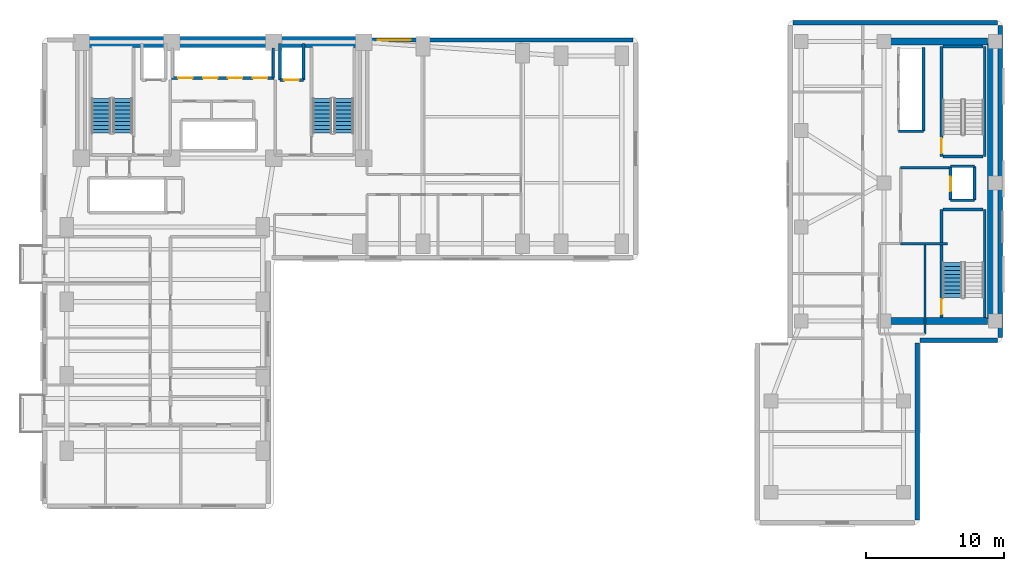
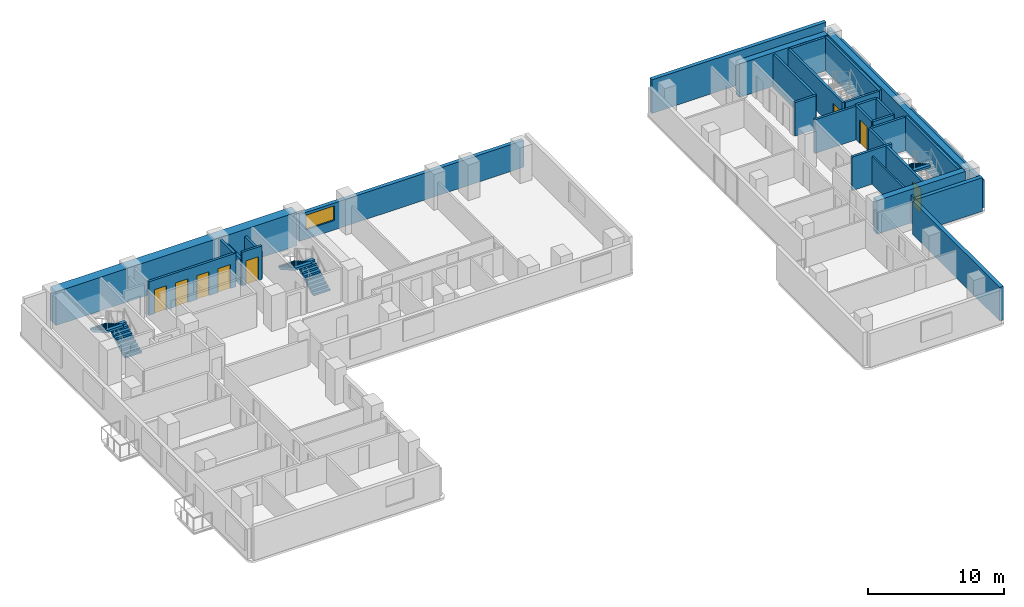
# One storey, part 13 of 18: 30 walls, 8 doors, 5 stair flights, 1 window, 9 openings, 3 elements without a shape of their own.
"""IFC4 building model written with IfcOpenShell, lengths in metres."""

from ifc_helpers import new_model, si_unit, direction, frame, frame_2d, origin, place, context, subcontext, project, spatial, polyline, rectangle, outline, extrude, material, layer, layer_set, type_object, element, fill, aggregate, save


model = new_model("IFC4")

# Units and contexts
model_context = context("Model", 3, precision=1e-05, world=origin(), true_north=direction((0.0, 1.0)))
body_context = subcontext(model_context, "Body", "Model", "MODEL_VIEW")
ifc_project = project(units=[si_unit("LENGTHUNIT", "METRE"), si_unit("AREAUNIT", "SQUARE_METRE"), si_unit("VOLUMEUNIT", "CUBIC_METRE"), si_unit("PLANEANGLEUNIT", "RADIAN"), si_unit("MASSUNIT", "GRAM", prefix="KILO")], contexts=[model_context])

# Site, building, storey
site_placement = place(None, origin())
site = spatial("IfcSite", under=ifc_project, at=site_placement, CompositionType="ELEMENT")
building_placement = place(site_placement, origin())
building = spatial("IfcBuilding", under=site, at=building_placement, Name="Kuzgunbayir Cultural Tower", CompositionType="ELEMENT")
storey_placement = place(building_placement, frame((0.0, 0.0, 53.199951171875)))
storey = spatial("IfcBuildingStorey", under=building, at=storey_placement, Name="L14", CompositionType="ELEMENT", Elevation=53.199951171875)

# Wall
ifc_material_1 = material(Name="Concrete C60/75", Category="concrete")
ifc_layer_1 = layer(ifc_material_1, 0.800048828125)
ifc_layer_set_1 = layer_set([ifc_layer_1], Name="Concrete C60/75")
wall_type_1 = type_object("IfcWallType", Name="WAL-CORE-800", PredefinedType="SHEAR", material=ifc_layer_set_1)
wall_1_placement = place(storey_placement, frame((6.449951171875, 42.199951171875, 0.0), z_axis=(0.0, 0.0, 1.0), x_axis=(1.0, 0.0, 0.0)))
element("IfcWall", 1, at=wall_1_placement, inside=storey, type_object=wall_type_1, Name="L14 T1 Core North Shear Wall", PredefinedType="SHEAR", context=body_context, shape_type="SweptSolid", body=[
    extrude(rectangle(XDim=20.449951171875, YDim=0.800048828125, at=frame_2d((10.22509765625, 0.0))), origin(), (0.0, 0.0, 1.0), 3.02001953125),
])

# Wall, opening, window
ifc_material_2 = material(Name="Travertine Buff Ashlar", Category="masonry")
ifc_layer_2 = layer(ifc_material_2, 0.320068359375)
ifc_layer_set_2 = layer_set([ifc_layer_2], Name="Travertine Buff Ashlar")
wall_type_2 = type_object("IfcWallType", Name="WAL-EXT-STONE-320", PredefinedType="STANDARD", material=ifc_layer_set_2)
wall_2_placement = place(storey_placement, frame((46.39990234375, 42.35009765625, 0.0), z_axis=(0.0, 0.0, 1.0), x_axis=(-1.0, 0.0, 0.0)))
wall_2 = element("IfcWall", 2, at=wall_2_placement, inside=storey, type_object=wall_type_2, Name="L14 North Wing B Limestone Wall", PredefinedType="STANDARD", context=body_context, shape_type="SweptSolid", body=[
    extrude(rectangle(XDim=19.0498046875, YDim=0.320068359375, at=frame_2d((9.52490234375, 0.0))), origin(), (0.0, 0.0, 1.0), 2.41015625),
])
opening_1_placement = place(wall_2_placement, frame((16.090087890625, 0.0, 0.85009765625)))
opening_1 = element("IfcOpeningElement", 3, at=opening_1_placement, cuts=wall_2, Name="Opening WO-24", PredefinedType="OPENING", context=body_context, shape_type="SweptSolid", body=[
    extrude(rectangle(XDim=2.39990234375, YDim=1.31005859375, at=frame_2d((1.199951171875, 0.655029296875))), frame((0.0, 0.169921875, 0.0), z_axis=(0.0, -1.0, 0.0), x_axis=(1.0, 0.0, 0.0)), (0.0, 0.0, 1.0), 0.340087890625),
])
ifc_material_3 = material(Name="Solar-Control Triple Glazing", Category="glass")
window_type = type_object("IfcWindowType", Name="WIN-OFFICE-24", PartitioningType="SINGLE_PANEL", PredefinedType="WINDOW", material=ifc_material_3)
window_placement = place(opening_1_placement, origin())
window = element("IfcWindow", 4, at=window_placement, inside=storey, type_object=window_type, Name="L14 CRN Facade Window 6", OverallHeight=1.31005859375, OverallWidth=2.39990234375, PartitioningType="SINGLE_PANEL", PredefinedType="WINDOW", context=body_context, shape_type="SweptSolid", body=[
    extrude(rectangle(XDim=2.39990234375, YDim=1.31005859375, at=frame_2d((1.199951171875, 0.655029296875))), frame((0.0, 0.030029296875, 0.0), z_axis=(0.0, -1.0, 0.0), x_axis=(1.0, 0.0, 0.0)), (0.0, 0.0, 1.0), 0.06005859375),
])
fill(opening_1, window)

# Walls
wall_3_placement = place(storey_placement, frame((73.0, 20.800048828125, 0.0), z_axis=(0.0, 0.0, 1.0), x_axis=(0.0, 1.0, 0.0)))
element("IfcWall", 5, at=wall_3_placement, inside=storey, type_object=wall_type_2, Name="L14 Companion East Limestone Wall", PredefinedType="STANDARD", context=body_context, shape_type="SweptSolid", body=[
    extrude(rectangle(XDim=22.599853515625, YDim=0.320068359375, at=frame_2d((11.2998046875, 0.0))), origin(), (0.0, 0.0, 1.0), 2.5),
])
wall_4_placement = place(storey_placement, frame((72.800048828125, 43.60009765625, 0.0), z_axis=(0.0, 0.0, 1.0), x_axis=(-1.0, 0.0, 0.0)))
element("IfcWall", 6, at=wall_4_placement, inside=storey, type_object=wall_type_2, Name="L14 Companion North Limestone Wall", PredefinedType="STANDARD", context=body_context, shape_type="SweptSolid", body=[
    extrude(rectangle(XDim=14.800048828125, YDim=0.320068359375, at=frame_2d((7.39990234375, 0.0))), origin(), (0.0, 0.0, 1.0), 3.02001953125),
])
wall_5_placement = place(storey_placement, frame((67.0, 7.60009765625, 0.0), z_axis=(0.0, 0.0, 1.0), x_axis=(0.0, 1.0, 0.0)))
element("IfcWall", 7, at=wall_5_placement, inside=storey, type_object=wall_type_2, Name="L14 Companion Wing B East Wall", PredefinedType="STANDARD", context=body_context, shape_type="SweptSolid", body=[
    extrude(rectangle(XDim=12.7998046875, YDim=0.320068359375, at=frame_2d((6.39990234375, 0.0))), origin(), (0.0, 0.0, 1.0), 3.02001953125),
])
wall_6_placement = place(storey_placement, frame((67.199951171875, 20.60009765625, 0.0), z_axis=(0.0, 0.0, 1.0), x_axis=(1.0, 0.0, 0.0)))
element("IfcWall", 8, at=wall_6_placement, inside=storey, type_object=wall_type_2, Name="L14 Companion South-East Link", PredefinedType="STANDARD", context=body_context, shape_type="SweptSolid", body=[
    extrude(rectangle(XDim=5.60009765625, YDim=0.320068359375, at=frame_2d((2.800048828125, 0.0))), origin(), (0.0, 0.0, 1.0), 3.02001953125),
])
ifc_material_4 = material(Name="Acoustic Double-Stud Drywall", Category="gypsum")
ifc_layer_3 = layer(ifc_material_4, 0.14990234375)
ifc_layer_set_3 = layer_set([ifc_layer_3], Name="Acoustic Double-Stud Drywall")
wall_type_3 = type_object("IfcWallType", Name="WAL-PART-ACOUSTIC-150", PredefinedType="PARTITIONING", material=ifc_layer_set_3)
wall_7_placement = place(storey_placement, frame((67.550048828125, 21.050048828125, 0.0), z_axis=(0.0, 0.0, 1.0), x_axis=(0.0, 1.0, 0.0)))
element("IfcWall", 9, at=wall_7_placement, inside=storey, type_object=wall_type_3, Name="L14 Companion Archive East Wall", PredefinedType="PARTITIONING", context=body_context, shape_type="SweptSolid", body=[
    extrude(rectangle(XDim=6.469970703125, YDim=0.14990234375, at=frame_2d((3.23486328125, 0.0))), origin(), (0.0, 0.0, 1.0), 2.5),
])
ifc_material_5 = material(Name="Aerated Concrete Blockwork", Category="masonry")
ifc_layer_4 = layer(ifc_material_5, 0.199951171875)
ifc_layer_set_4 = layer_set([ifc_layer_4], Name="Aerated Concrete Blockwork")
wall_type_4 = type_object("IfcWallType", Name="WAL-PART-FIRE-200", PredefinedType="PARTITIONING", material=ifc_layer_set_4)
wall_8_placement = place(storey_placement, frame((65.800048828125, 33.10009765625, 0.0), z_axis=(0.0, 0.0, 1.0), x_axis=(1.0, 0.0, 0.0)))
element("IfcWall", 10, at=wall_8_placement, inside=storey, type_object=wall_type_4, Name="L14 FFL-3 Lobby North Fire Wall", PredefinedType="PARTITIONING", context=body_context, shape_type="SweptSolid", body=[
    extrude(rectangle(XDim=3.599853515625, YDim=0.199951171875, at=frame_2d((1.7998046875, 0.0))), origin(), (0.0, 0.0, 1.0), 3.02001953125),
])
wall_9_placement = place(storey_placement, frame((65.800048828125, 27.60009765625, 0.0), z_axis=(0.0, 0.0, 1.0), x_axis=(1.0, 0.0, 0.0)))
element("IfcWall", 11, at=wall_9_placement, inside=storey, type_object=wall_type_4, Name="L14 FFL-3 Lobby South Fire Wall", PredefinedType="PARTITIONING", context=body_context, shape_type="SweptSolid", body=[
    extrude(rectangle(XDim=3.39990234375, YDim=0.199951171875, at=frame_2d((1.699951171875, 0.0))), origin(), (0.0, 0.0, 1.0), 3.02001953125),
])

# Wall, opening, door
ifc_material_6 = material(Name="Concrete C40/50", Category="concrete")
ifc_layer_5 = layer(ifc_material_6, 0.199951171875)
ifc_layer_set_5 = layer_set([ifc_layer_5], Name="Concrete C40/50")
wall_type_5 = type_object("IfcWallType", Name="WAL-SHAFT-200", PredefinedType="MOVABLE", material=ifc_layer_set_5)
wall_10_placement = place(storey_placement, frame((20.85009765625, 39.449951171875, 0.0), z_axis=(0.0, 0.0, 1.0), x_axis=(1.0, 0.0, 0.0)))
wall_10 = element("IfcWall", 12, at=wall_10_placement, inside=storey, type_object=wall_type_5, Name="L14 FFL-2 Lift Front Wall", PredefinedType="MOVABLE", context=body_context, shape_type="SweptSolid", body=[
    extrude(rectangle(XDim=1.699951171875, YDim=0.199951171875, at=frame_2d((0.85009765625, 0.0))), origin(), (0.0, 0.0, 1.0), 3.02001953125),
])
opening_2_placement = place(wall_10_placement, frame((0.320068359375, 0.0, 0.0)))
opening_2 = element("IfcOpeningElement", 13, at=opening_2_placement, cuts=wall_10, Name="Opening LD", PredefinedType="OPENING", context=body_context, shape_type="SweptSolid", body=[
    extrude(rectangle(XDim=1.050048828125, YDim=2.14990234375, at=frame_2d((0.52490234375, 1.074951171875))), frame((0.0, 0.10986328125, 0.0), z_axis=(0.0, -1.0, 0.0), x_axis=(1.0, 0.0, 0.0)), (0.0, 0.0, 1.0), 0.219970703125),
])
ifc_material_7 = material(Name="Brushed Stainless Steel", Category="steel")
door_type_1 = type_object("IfcDoorType", Name="DR-LIFT-LANDING", OperationType="SLIDING_TO_LEFT", PredefinedType="DOOR", material=ifc_material_7)
door_1_placement = place(opening_2_placement, origin())
door_1 = element("IfcDoor", 14, at=door_1_placement, inside=storey, type_object=door_type_1, Name="L14 Lift FFL-2 Landing Door", OperationType="SLIDING_TO_LEFT", OverallHeight=2.14990234375, OverallWidth=1.050048828125, PredefinedType="DOOR", context=body_context, shape_type="SweptSolid", body=[
    extrude(rectangle(XDim=1.050048828125, YDim=2.14990234375, at=frame_2d((0.52490234375, 1.074951171875))), frame((0.0, 0.02490234375, 0.0), z_axis=(0.0, -1.0, 0.0), x_axis=(1.0, 0.0, 0.0)), (0.0, 0.0, 1.0), 0.050048828125),
])
fill(opening_2, door_1)

# Walls
for number, where, z_axis, x_axis, name in (
    (15, (20.85009765625, 39.449951171875, 0.0), (0.0, 0.0, 1.0), (0.0, 1.0, 0.0), "L14 FFL-2 Shaft West Wall"),
    (16, (22.550048828125, 39.449951171875, 0.0), (0.0, 0.0, 1.0), (0.0, 1.0, 0.0), "L14 FFL-2 Shaft East Wall"),
):
    element("IfcWall", number, at=place(storey_placement, frame(where, z_axis=z_axis, x_axis=x_axis)), inside=storey, type_object=wall_type_5, Name=name, PredefinedType="MOVABLE", context=body_context, shape_type="SweptSolid", body=[
        extrude(rectangle(XDim=2.650146484375, YDim=0.199951171875, at=frame_2d((1.3251953125, 0.0))), origin(), (0.0, 0.0, 1.0), 2.41015625),
    ])

# Wall, openings, doors
wall_11_placement = place(storey_placement, frame((13.0, 39.60009765625, 0.0), z_axis=(0.0, 0.0, 1.0), x_axis=(1.0, 0.0, 0.0)))
wall_11 = element("IfcWall", 17, at=wall_11_placement, inside=storey, type_object=wall_type_5, Name="L14 Low-Rise Lift Front Wall", PredefinedType="MOVABLE", context=body_context, shape_type="SweptSolid", body=[
    extrude(rectangle(XDim=7.39990234375, YDim=0.199951171875, at=frame_2d((3.699951171875, 0.0))), origin(), (0.0, 0.0, 1.0), 3.02001953125),
])
opening_3_placement = place(wall_11_placement, frame((0.469970703125, 0.0, 0.0)))
opening_3 = element("IfcOpeningElement", 18, at=opening_3_placement, cuts=wall_11, Name="Opening LD", PredefinedType="OPENING", context=body_context, shape_type="SweptSolid", body=[
    extrude(rectangle(XDim=1.050048828125, YDim=2.14990234375, at=frame_2d((0.52490234375, 1.074951171875))), frame((0.0, 0.10986328125, 0.0), z_axis=(0.0, -1.0, 0.0), x_axis=(1.0, 0.0, 0.0)), (0.0, 0.0, 1.0), 0.219970703125),
])
opening_4_placement = place(wall_11_placement, frame((2.280029296875, 0.0, 0.0)))
opening_4 = element("IfcOpeningElement", 19, at=opening_4_placement, cuts=wall_11, Name="Opening LD", PredefinedType="OPENING", context=body_context, shape_type="SweptSolid", body=[
    extrude(rectangle(XDim=1.050048828125, YDim=2.14990234375, at=frame_2d((0.52490234375, 1.074951171875))), frame((0.0, 0.10986328125, 0.0), z_axis=(0.0, -1.0, 0.0), x_axis=(1.0, 0.0, 0.0)), (0.0, 0.0, 1.0), 0.219970703125),
])
opening_5_placement = place(wall_11_placement, frame((4.080078125, 0.0, 0.0)))
opening_5 = element("IfcOpeningElement", 20, at=opening_5_placement, cuts=wall_11, Name="Opening LD", PredefinedType="OPENING", context=body_context, shape_type="SweptSolid", body=[
    extrude(rectangle(XDim=1.050048828125, YDim=2.14990234375, at=frame_2d((0.52490234375, 1.074951171875))), frame((0.0, 0.10986328125, 0.0), z_axis=(0.0, -1.0, 0.0), x_axis=(1.0, 0.0, 0.0)), (0.0, 0.0, 1.0), 0.219970703125),
])
opening_6_placement = place(wall_11_placement, frame((5.8798828125, 0.0, 0.0)))
opening_6 = element("IfcOpeningElement", 21, at=opening_6_placement, cuts=wall_11, Name="Opening LD", PredefinedType="OPENING", context=body_context, shape_type="SweptSolid", body=[
    extrude(rectangle(XDim=1.050048828125, YDim=2.14990234375, at=frame_2d((0.52490234375, 1.074951171875))), frame((0.0, 0.10986328125, 0.0), z_axis=(0.0, -1.0, 0.0), x_axis=(1.0, 0.0, 0.0)), (0.0, 0.0, 1.0), 0.219970703125),
])
door_2_placement = place(opening_3_placement, origin())
door_2 = element("IfcDoor", 22, at=door_2_placement, inside=storey, type_object=door_type_1, Name="L14 Lift PL-1 Landing Door", OperationType="SLIDING_TO_LEFT", OverallHeight=2.14990234375, OverallWidth=1.050048828125, PredefinedType="DOOR", context=body_context, shape_type="SweptSolid", body=[
    extrude(rectangle(XDim=1.050048828125, YDim=2.14990234375, at=frame_2d((0.52490234375, 1.074951171875))), frame((0.0, 0.02490234375, 0.0), z_axis=(0.0, -1.0, 0.0), x_axis=(1.0, 0.0, 0.0)), (0.0, 0.0, 1.0), 0.050048828125),
])
fill(opening_3, door_2)
door_3_placement = place(opening_4_placement, origin())
door_3 = element("IfcDoor", 23, at=door_3_placement, inside=storey, type_object=door_type_1, Name="L14 Lift PL-2 Landing Door", OperationType="SLIDING_TO_LEFT", OverallHeight=2.14990234375, OverallWidth=1.050048828125, PredefinedType="DOOR", context=body_context, shape_type="SweptSolid", body=[
    extrude(rectangle(XDim=1.050048828125, YDim=2.14990234375, at=frame_2d((0.52490234375, 1.074951171875))), frame((0.0, 0.02490234375, 0.0), z_axis=(0.0, -1.0, 0.0), x_axis=(1.0, 0.0, 0.0)), (0.0, 0.0, 1.0), 0.050048828125),
])
fill(opening_4, door_3)
door_4_placement = place(opening_5_placement, origin())
door_4 = element("IfcDoor", 24, at=door_4_placement, inside=storey, type_object=door_type_1, Name="L14 Lift PL-3 Landing Door", OperationType="SLIDING_TO_LEFT", OverallHeight=2.14990234375, OverallWidth=1.050048828125, PredefinedType="DOOR", context=body_context, shape_type="SweptSolid", body=[
    extrude(rectangle(XDim=1.050048828125, YDim=2.14990234375, at=frame_2d((0.52490234375, 1.074951171875))), frame((0.0, 0.02490234375, 0.0), z_axis=(0.0, -1.0, 0.0), x_axis=(1.0, 0.0, 0.0)), (0.0, 0.0, 1.0), 0.050048828125),
])
fill(opening_5, door_4)
door_5_placement = place(opening_6_placement, origin())
door_5 = element("IfcDoor", 25, at=door_5_placement, inside=storey, type_object=door_type_1, Name="L14 Lift PL-4 Landing Door", OperationType="SLIDING_TO_LEFT", OverallHeight=2.14990234375, OverallWidth=1.050048828125, PredefinedType="DOOR", context=body_context, shape_type="SweptSolid", body=[
    extrude(rectangle(XDim=1.050048828125, YDim=2.14990234375, at=frame_2d((0.52490234375, 1.074951171875))), frame((0.0, 0.02490234375, 0.0), z_axis=(0.0, -1.0, 0.0), x_axis=(1.0, 0.0, 0.0)), (0.0, 0.0, 1.0), 0.050048828125),
])
fill(opening_6, door_5)

# Walls
wall_12_placement = place(storey_placement, frame((20.35009765625, 39.60009765625, 0.0), z_axis=(0.0, 0.0, 1.0), x_axis=(0.0, 1.0, 0.0)))
element("IfcWall", 26, at=wall_12_placement, inside=storey, type_object=wall_type_5, Name="L14 Low-Rise Lift Shaft East Wall", PredefinedType="MOVABLE", context=body_context, shape_type="SweptSolid", body=[
    extrude(rectangle(XDim=2.179931640625, YDim=0.199951171875, at=frame_2d((1.08984375, 0.0))), origin(), (0.0, 0.0, 1.0), 3.02001953125),
])
wall_13_placement = place(storey_placement, frame((67.449951171875, 35.75, 0.0), z_axis=(0.0, 0.0, 1.0), x_axis=(0.0, 1.0, 0.0)))
element("IfcWall", 27, at=wall_13_placement, inside=storey, type_object=wall_type_5, Name="L14 Companion Lift Shaft Back Wall", PredefinedType="MOVABLE", context=body_context, shape_type="SweptSolid", body=[
    extrude(rectangle(XDim=6.050048828125, YDim=0.199951171875, at=frame_2d((3.02490234375, 0.0))), origin(), (0.0, 0.0, 1.0), 3.02001953125),
])
wall_14_placement = place(storey_placement, frame((65.64990234375, 35.75, 0.0), z_axis=(0.0, 0.0, 1.0), x_axis=(1.0, 0.0, 0.0)))
element("IfcWall", 28, at=wall_14_placement, inside=storey, type_object=wall_type_5, Name="L14 Companion Lift Shaft South Wall", PredefinedType="MOVABLE", context=body_context, shape_type="SweptSolid", body=[
    extrude(rectangle(XDim=1.800048828125, YDim=0.199951171875, at=frame_2d((0.89990234375, 0.0))), origin(), (0.0, 0.0, 1.0), 3.02001953125),
])

# Wall, opening, door
wall_15_placement = place(storey_placement, frame((69.39990234375, 30.75, 0.0), z_axis=(0.0, 0.0, 1.0), x_axis=(0.0, 1.0, 0.0)))
wall_15 = element("IfcWall", 29, at=wall_15_placement, inside=storey, type_object=wall_type_5, Name="L14 FFL-3 Lift Front Wall", PredefinedType="MOVABLE", context=body_context, shape_type="SweptSolid", body=[
    extrude(rectangle(XDim=2.449951171875, YDim=0.199951171875, at=frame_2d((1.22509765625, 0.0))), origin(), (0.0, 0.0, 1.0), 3.02001953125),
])
opening_7_placement = place(wall_15_placement, frame((0.64990234375, 0.0, 0.0)))
opening_7 = element("IfcOpeningElement", 30, at=opening_7_placement, cuts=wall_15, Name="Opening LD", PredefinedType="OPENING", context=body_context, shape_type="SweptSolid", body=[
    extrude(rectangle(XDim=1.050048828125, YDim=2.14990234375, at=frame_2d((0.52490234375, 1.074951171875))), frame((0.0, 0.10986328125, 0.0), z_axis=(0.0, -1.0, 0.0), x_axis=(1.0, 0.0, 0.0)), (0.0, 0.0, 1.0), 0.219970703125),
])
door_6_placement = place(opening_7_placement, origin())
door_6 = element("IfcDoor", 31, at=door_6_placement, inside=storey, type_object=door_type_1, Name="L14 Lift FFL-3 Landing Door", OperationType="SLIDING_TO_LEFT", OverallHeight=2.14990234375, OverallWidth=1.050048828125, PredefinedType="DOOR", context=body_context, shape_type="SweptSolid", body=[
    extrude(rectangle(XDim=1.050048828125, YDim=2.14990234375, at=frame_2d((0.52490234375, 1.074951171875))), frame((0.0, 0.02490234375, 0.0), z_axis=(0.0, -1.0, 0.0), x_axis=(1.0, 0.0, 0.0)), (0.0, 0.0, 1.0), 0.050048828125),
])
fill(opening_7, door_6)

# Walls
wall_16_placement = place(storey_placement, frame((71.14990234375, 30.75, 0.0), z_axis=(0.0, 0.0, 1.0), x_axis=(0.0, 1.0, 0.0)))
element("IfcWall", 32, at=wall_16_placement, inside=storey, type_object=wall_type_5, Name="L14 FFL-3 Shaft Back Wall", PredefinedType="MOVABLE", context=body_context, shape_type="SweptSolid", body=[
    extrude(rectangle(XDim=2.449951171875, YDim=0.199951171875, at=frame_2d((1.22509765625, 0.0))), origin(), (0.0, 0.0, 1.0), 3.02001953125),
])
for number, where, z_axis, x_axis, name in (
    (33, (69.39990234375, 33.199951171875, 0.0), (0.0, 0.0, 1.0), (1.0, 0.0, 0.0), "L14 FFL-3 Shaft North Wall"),
    (34, (69.39990234375, 30.75, 0.0), (0.0, 0.0, 1.0), (1.0, 0.0, 0.0), "L14 FFL-3 Shaft South Wall"),
):
    element("IfcWall", number, at=place(storey_placement, frame(where, z_axis=z_axis, x_axis=x_axis)), inside=storey, type_object=wall_type_5, Name=name, PredefinedType="MOVABLE", context=body_context, shape_type="SweptSolid", body=[
        extrude(rectangle(XDim=1.75, YDim=0.199951171875, at=frame_2d((0.875, 0.0))), origin(), (0.0, 0.0, 1.0), 3.02001953125),
    ])

# Wall, opening, door
ifc_layer_6 = layer(ifc_material_6, 0.199951171875)
ifc_layer_set_6 = layer_set([ifc_layer_6], Name="Concrete C40/50")
wall_type_6 = type_object("IfcWallType", Name="WAL-STAIR-RC-200", PredefinedType="SHEAR", material=ifc_layer_set_6)
wall_17_placement = place(storey_placement, frame((68.760009765625, 22.260009765625, 0.0), z_axis=(0.0, 0.0, 1.0), x_axis=(0.0, 1.0, 0.0)))
wall_17 = element("IfcWall", 35, at=wall_17_placement, inside=storey, type_object=wall_type_6, Name="L14 Stair ST-3 West Structural Wall", PredefinedType="SHEAR", context=body_context, shape_type="SweptSolid", body=[
    extrude(rectangle(XDim=7.820068359375, YDim=0.199951171875, at=frame_2d((3.91015625, 0.0))), origin(), (0.0, 0.0, 1.0), 3.02001953125),
])
opening_8_placement = place(wall_17_placement, frame((0.219970703125, 0.0, 0.0)))
opening_8 = element("IfcOpeningElement", 36, at=opening_8_placement, cuts=wall_17, Name="Opening DR-STAIR-90", PredefinedType="OPENING", context=body_context, shape_type="SweptSolid", body=[
    extrude(rectangle(XDim=1.10009765625, YDim=2.14990234375, at=frame_2d((0.550048828125, 1.074951171875))), frame((0.0, 0.10986328125, 0.0), z_axis=(0.0, -1.0, 0.0), x_axis=(1.0, 0.0, 0.0)), (0.0, 0.0, 1.0), 0.219970703125),
])
ifc_material_8 = material(Name="Steel S355J2", Category="steel")
door_type_2 = type_object("IfcDoorType", Name="DR-STAIR-90", OperationType="NOTDEFINED", PredefinedType="DOOR", material=ifc_material_8)
door_7_placement = place(opening_8_placement, origin())
door_7 = element("IfcDoor", 37, at=door_7_placement, inside=storey, type_object=door_type_2, Name="L14 Stair ST-3 Fire Door", OperationType="SINGLE_SWING_RIGHT", OverallHeight=2.14990234375, OverallWidth=1.10009765625, PredefinedType="DOOR", context=body_context, shape_type="SweptSolid", body=[
    extrude(rectangle(XDim=1.10009765625, YDim=2.14990234375, at=frame_2d((0.550048828125, 1.074951171875))), frame((0.0, 0.02490234375, 0.0), z_axis=(0.0, -1.0, 0.0), x_axis=(1.0, 0.0, 0.0)), (0.0, 0.0, 1.0), 0.050048828125),
])
fill(opening_8, door_7)

# Walls
wall_18_placement = place(storey_placement, frame((71.8798828125, 22.260009765625, 0.0), z_axis=(0.0, 0.0, 1.0), x_axis=(0.0, 1.0, 0.0)))
element("IfcWall", 38, at=wall_18_placement, inside=storey, type_object=wall_type_6, Name="L14 Stair ST-3 East Structural Wall", PredefinedType="SHEAR", context=body_context, shape_type="SweptSolid", body=[
    extrude(rectangle(XDim=7.820068359375, YDim=0.199951171875, at=frame_2d((3.91015625, 0.0))), origin(), (0.0, 0.0, 1.0), 3.02001953125),
])
wall_19_placement = place(storey_placement, frame((68.8798828125, 30.080078125, 0.0), z_axis=(0.0, 0.0, 1.0), x_axis=(1.0, 0.0, 0.0)))
element("IfcWall", 39, at=wall_19_placement, inside=storey, type_object=wall_type_6, Name="L14 Stair ST-3 North Structural Wall", PredefinedType="SHEAR", context=body_context, shape_type="SweptSolid", body=[
    extrude(rectangle(XDim=2.880126953125, YDim=0.199951171875, at=frame_2d((1.43994140625, 0.0))), origin(), (0.0, 0.0, 1.0), 3.02001953125),
])

# Wall, opening, door
wall_20_placement = place(storey_placement, frame((68.760009765625, 33.919921875, 0.0), z_axis=(0.0, 0.0, 1.0), x_axis=(0.0, 1.0, 0.0)))
wall_20 = element("IfcWall", 40, at=wall_20_placement, inside=storey, type_object=wall_type_6, Name="L14 Stair ST-4 West Structural Wall", PredefinedType="SHEAR", context=body_context, shape_type="SweptSolid", body=[
    extrude(rectangle(XDim=7.9599609375, YDim=0.199951171875, at=frame_2d((3.97998046875, 0.0))), origin(), (0.0, 0.0, 1.0), 3.02001953125),
])
opening_9_placement = place(wall_20_placement, frame((0.219970703125, 0.0, 0.0)))
opening_9 = element("IfcOpeningElement", 41, at=opening_9_placement, cuts=wall_20, Name="Opening DR-STAIR-90", PredefinedType="OPENING", context=body_context, shape_type="SweptSolid", body=[
    extrude(rectangle(XDim=1.10009765625, YDim=2.14990234375, at=frame_2d((0.550048828125, 1.074951171875))), frame((0.0, 0.10986328125, 0.0), z_axis=(0.0, -1.0, 0.0), x_axis=(1.0, 0.0, 0.0)), (0.0, 0.0, 1.0), 0.219970703125),
])
door_8_placement = place(opening_9_placement, origin())
door_8 = element("IfcDoor", 42, at=door_8_placement, inside=storey, type_object=door_type_2, Name="L14 Stair ST-4 Fire Door", OperationType="SINGLE_SWING_LEFT", OverallHeight=2.14990234375, OverallWidth=1.10009765625, PredefinedType="DOOR", context=body_context, shape_type="SweptSolid", body=[
    extrude(rectangle(XDim=1.10009765625, YDim=2.14990234375, at=frame_2d((0.550048828125, 1.074951171875))), frame((0.0, 0.02490234375, 0.0), z_axis=(0.0, -1.0, 0.0), x_axis=(1.0, 0.0, 0.0)), (0.0, 0.0, 1.0), 0.050048828125),
])
fill(opening_9, door_8)

# Walls
wall_21_placement = place(storey_placement, frame((71.8798828125, 33.919921875, 0.0), z_axis=(0.0, 0.0, 1.0), x_axis=(0.0, 1.0, 0.0)))
element("IfcWall", 43, at=wall_21_placement, inside=storey, type_object=wall_type_6, Name="L14 Stair ST-4 East Structural Wall", PredefinedType="SHEAR", context=body_context, shape_type="SweptSolid", body=[
    extrude(rectangle(XDim=7.9599609375, YDim=0.199951171875, at=frame_2d((3.97998046875, 0.0))), origin(), (0.0, 0.0, 1.0), 3.02001953125),
])
for number, where, z_axis, x_axis, name in (
    (44, (68.8798828125, 41.8798828125, 0.0), (0.0, 0.0, 1.0), (1.0, 0.0, 0.0), "L14 Stair ST-4 North Structural Wall"),
    (45, (68.8798828125, 33.919921875, 0.0), (0.0, 0.0, 1.0), (1.0, 0.0, 0.0), "L14 Stair ST-4 South Structural Wall"),
):
    element("IfcWall", number, at=place(storey_placement, frame(where, z_axis=z_axis, x_axis=x_axis)), inside=storey, type_object=wall_type_6, Name=name, PredefinedType="SHEAR", context=body_context, shape_type="SweptSolid", body=[
        extrude(rectangle(XDim=2.880126953125, YDim=0.199951171875, at=frame_2d((1.43994140625, 0.0))), origin(), (0.0, 0.0, 1.0), 3.02001953125),
    ])
ifc_layer_7 = layer(ifc_material_1, 0.5)
ifc_layer_set_7 = layer_set([ifc_layer_7], Name="Concrete C60/75")
wall_type_7 = type_object("IfcWallType", Name="WAL-T2-CORE-500", PredefinedType="SHEAR", material=ifc_layer_set_7)
wall_22_placement = place(storey_placement, frame((72.35009765625, 22.0, 0.0), z_axis=(0.0, 0.0, 1.0), x_axis=(0.0, 1.0, 0.0)))
element("IfcWall", 46, at=wall_22_placement, inside=storey, type_object=wall_type_7, Name="L14 Companion Core East Shear Wall", PredefinedType="SHEAR", context=body_context, shape_type="SweptSolid", body=[
    extrude(rectangle(XDim=20.25, YDim=0.5, at=frame_2d((10.125, 0.0))), origin(), (0.0, 0.0, 1.0), 3.02001953125),
])
for number, where, z_axis, x_axis, name in (
    (47, (64.60009765625, 42.25, 0.0), (0.0, 0.0, 1.0), (1.0, 0.0, 0.0), "L14 Companion Core North Shear Wall"),
    (48, (64.60009765625, 22.0, 0.0), (0.0, 0.0, 1.0), (1.0, 0.0, 0.0), "L14 Companion Core South Shear Wall"),
):
    element("IfcWall", number, at=place(storey_placement, frame(where, z_axis=z_axis, x_axis=x_axis)), inside=storey, type_object=wall_type_7, Name=name, PredefinedType="SHEAR", context=body_context, shape_type="SweptSolid", body=[
        extrude(rectangle(XDim=7.5, YDim=0.5, at=frame_2d((3.75, 0.0))), origin(), (0.0, 0.0, 1.0), 3.02001953125),
    ])

# Stair, stair flights
stair_type = type_object("IfcStairType", Name="STR-EXIT-CORE", PredefinedType="HALF_TURN_STAIR", material=ifc_material_6)
stair_1_placement = place(storey_placement, origin())
stair_1 = element("IfcStair", 49, at=stair_1_placement, inside=storey, type_object=stair_type, Name="L14 ST-1", PredefinedType="HALF_TURN_STAIR")
stair_flight_type = type_object("IfcStairFlightType", Name="STRF-RC-140", PredefinedType="STRAIGHT", material=ifc_material_6)
stair_flight_1_placement = place(storey_placement, frame((9.4599609375, 35.60009765625, 0.0), z_axis=(0.0, 0.0, 1.0), x_axis=(0.0, 1.0, 0.0)))
stair_flight_1 = element("IfcStairFlight", 50, at=stair_flight_1_placement, type_object=stair_flight_type, Name="ST-1 flight 1", NumberOfRisers=10, NumberOfTreads=9, PredefinedType="STRAIGHT", RiserHeight=0.16, TreadLength=0.28, context=body_context, shape_type="SweptSolid", body=[
    extrude(outline(polyline([(0.0, 0.0), (0.0, 0.159912109375), (0.280029296875, 0.159912109375), (0.280029296875, 0.320068359375), (0.56005859375, 0.320068359375), (0.56005859375, 0.47998046875), (0.840087890625, 0.47998046875), (0.840087890625, 0.639892578125), (1.1201171875, 0.639892578125), (1.1201171875, 0.800048828125), (1.39990234375, 0.800048828125), (1.39990234375, 0.9599609375), (1.679931640625, 0.9599609375), (1.679931640625, 1.1201171875), (1.9599609375, 1.1201171875), (1.9599609375, 1.280029296875), (2.239990234375, 1.280029296875), (2.239990234375, 1.43994140625), (2.52001953125, 1.43994140625), (2.52001953125, 1.60009765625), (2.52001953125, 1.232666015625), (0.362548828125, 0.0), (0.0, 0.0)])), frame((0.0, 0.699951171875, 0.0), z_axis=(0.0, -1.0, 0.0), x_axis=(1.0, 0.0, 0.0)), (0.0, 0.0, 1.0), 1.39990234375),
])
stair_flight_2_placement = place(storey_placement, frame((7.89990234375, 38.1201171875, 1.60009765625), z_axis=(0.0, 0.0, 1.0), x_axis=(0.0, -1.0, 0.0)))
stair_flight_2 = element("IfcStairFlight", 51, at=stair_flight_2_placement, type_object=stair_flight_type, Name="ST-1 flight 2", NumberOfRisers=10, NumberOfTreads=9, PredefinedType="STRAIGHT", RiserHeight=0.16, TreadLength=0.28, context=body_context, shape_type="SweptSolid", body=[
    extrude(outline(polyline([(0.0, 0.0), (0.0, 0.159912109375), (0.280029296875, 0.159912109375), (0.280029296875, 0.320068359375), (0.56005859375, 0.320068359375), (0.56005859375, 0.47998046875), (0.840087890625, 0.47998046875), (0.840087890625, 0.639892578125), (1.1201171875, 0.639892578125), (1.1201171875, 0.800048828125), (1.39990234375, 0.800048828125), (1.39990234375, 0.9599609375), (1.679931640625, 0.9599609375), (1.679931640625, 1.1201171875), (1.9599609375, 1.1201171875), (1.9599609375, 1.280029296875), (2.239990234375, 1.280029296875), (2.239990234375, 1.43994140625), (2.52001953125, 1.43994140625), (2.52001953125, 1.60009765625), (2.52001953125, 1.232666015625), (0.362548828125, 0.0), (0.0, 0.0)])), frame((0.0, 0.699951171875, 0.0), z_axis=(0.0, -1.0, 0.0), x_axis=(1.0, 0.0, 0.0)), (0.0, 0.0, 1.0), 1.39990234375),
])
aggregate(stair_1, [stair_flight_1, stair_flight_2])

stair_2_placement = place(storey_placement, origin())
stair_2 = element("IfcStair", 52, at=stair_2_placement, inside=storey, type_object=stair_type, Name="L14 ST-2", PredefinedType="HALF_TURN_STAIR")
stair_flight_3_placement = place(storey_placement, frame((25.4599609375, 35.60009765625, 0.0), z_axis=(0.0, 0.0, 1.0), x_axis=(0.0, 1.0, 0.0)))
stair_flight_3 = element("IfcStairFlight", 53, at=stair_flight_3_placement, type_object=stair_flight_type, Name="ST-2 flight 1", NumberOfRisers=10, NumberOfTreads=9, PredefinedType="STRAIGHT", RiserHeight=0.16, TreadLength=0.28, context=body_context, shape_type="SweptSolid", body=[
    extrude(outline(polyline([(0.0, 0.0), (0.0, 0.159912109375), (0.280029296875, 0.159912109375), (0.280029296875, 0.320068359375), (0.56005859375, 0.320068359375), (0.56005859375, 0.47998046875), (0.840087890625, 0.47998046875), (0.840087890625, 0.639892578125), (1.1201171875, 0.639892578125), (1.1201171875, 0.800048828125), (1.39990234375, 0.800048828125), (1.39990234375, 0.9599609375), (1.679931640625, 0.9599609375), (1.679931640625, 1.1201171875), (1.9599609375, 1.1201171875), (1.9599609375, 1.280029296875), (2.239990234375, 1.280029296875), (2.239990234375, 1.43994140625), (2.52001953125, 1.43994140625), (2.52001953125, 1.60009765625), (2.52001953125, 1.232666015625), (0.362548828125, 0.0), (0.0, 0.0)])), frame((0.0, 0.699951171875, 0.0), z_axis=(0.0, -1.0, 0.0), x_axis=(1.0, 0.0, 0.0)), (0.0, 0.0, 1.0), 1.39990234375),
])
stair_flight_4_placement = place(storey_placement, frame((23.89990234375, 38.1201171875, 1.60009765625), z_axis=(0.0, 0.0, 1.0), x_axis=(0.0, -1.0, 0.0)))
stair_flight_4 = element("IfcStairFlight", 54, at=stair_flight_4_placement, type_object=stair_flight_type, Name="ST-2 flight 2", NumberOfRisers=10, NumberOfTreads=9, PredefinedType="STRAIGHT", RiserHeight=0.16, TreadLength=0.28, context=body_context, shape_type="SweptSolid", body=[
    extrude(outline(polyline([(0.0, 0.0), (0.0, 0.159912109375), (0.280029296875, 0.159912109375), (0.280029296875, 0.320068359375), (0.56005859375, 0.320068359375), (0.56005859375, 0.47998046875), (0.840087890625, 0.47998046875), (0.840087890625, 0.639892578125), (1.1201171875, 0.639892578125), (1.1201171875, 0.800048828125), (1.39990234375, 0.800048828125), (1.39990234375, 0.9599609375), (1.679931640625, 0.9599609375), (1.679931640625, 1.1201171875), (1.9599609375, 1.1201171875), (1.9599609375, 1.280029296875), (2.239990234375, 1.280029296875), (2.239990234375, 1.43994140625), (2.52001953125, 1.43994140625), (2.52001953125, 1.60009765625), (2.52001953125, 1.232666015625), (0.362548828125, 0.0), (0.0, 0.0)])), frame((0.0, 0.699951171875, 0.0), z_axis=(0.0, -1.0, 0.0), x_axis=(1.0, 0.0, 0.0)), (0.0, 0.0, 1.0), 1.39990234375),
])
aggregate(stair_2, [stair_flight_3, stair_flight_4])

# Stair, stair flight
stair_3_placement = place(storey_placement, origin())
stair_3 = element("IfcStair", 55, at=stair_3_placement, inside=storey, type_object=stair_type, Name="L14 ST-3", PredefinedType="HALF_TURN_STAIR")
stair_flight_5_placement = place(storey_placement, frame((69.5400390625, 26.219970703125, 1.60009765625), z_axis=(0.0, 0.0, 1.0), x_axis=(0.0, -1.0, 0.0)))
stair_flight_5 = element("IfcStairFlight", 56, at=stair_flight_5_placement, type_object=stair_flight_type, Name="ST-3 flight 2", NumberOfRisers=10, NumberOfTreads=9, PredefinedType="STRAIGHT", RiserHeight=0.16, TreadLength=0.28, context=body_context, shape_type="SweptSolid", body=[
    extrude(outline(polyline([(0.0, 0.0), (0.0, 0.159912109375), (0.280029296875, 0.159912109375), (0.280029296875, 0.320068359375), (0.56005859375, 0.320068359375), (0.56005859375, 0.47998046875), (0.840087890625, 0.47998046875), (0.840087890625, 0.639892578125), (1.1201171875, 0.639892578125), (1.1201171875, 0.800048828125), (1.39990234375, 0.800048828125), (1.39990234375, 0.9599609375), (1.679931640625, 0.9599609375), (1.679931640625, 1.1201171875), (1.9599609375, 1.1201171875), (1.9599609375, 1.280029296875), (2.239990234375, 1.280029296875), (2.239990234375, 1.43994140625), (2.52001953125, 1.43994140625), (2.52001953125, 1.60009765625), (2.52001953125, 1.232666015625), (0.362548828125, 0.0), (0.0, 0.0)])), frame((0.0, 0.699951171875, 0.0), z_axis=(0.0, -1.0, 0.0), x_axis=(1.0, 0.0, 0.0)), (0.0, 0.0, 1.0), 1.39990234375),
])
aggregate(stair_3, [stair_flight_5])

save(model, "model.ifc")
